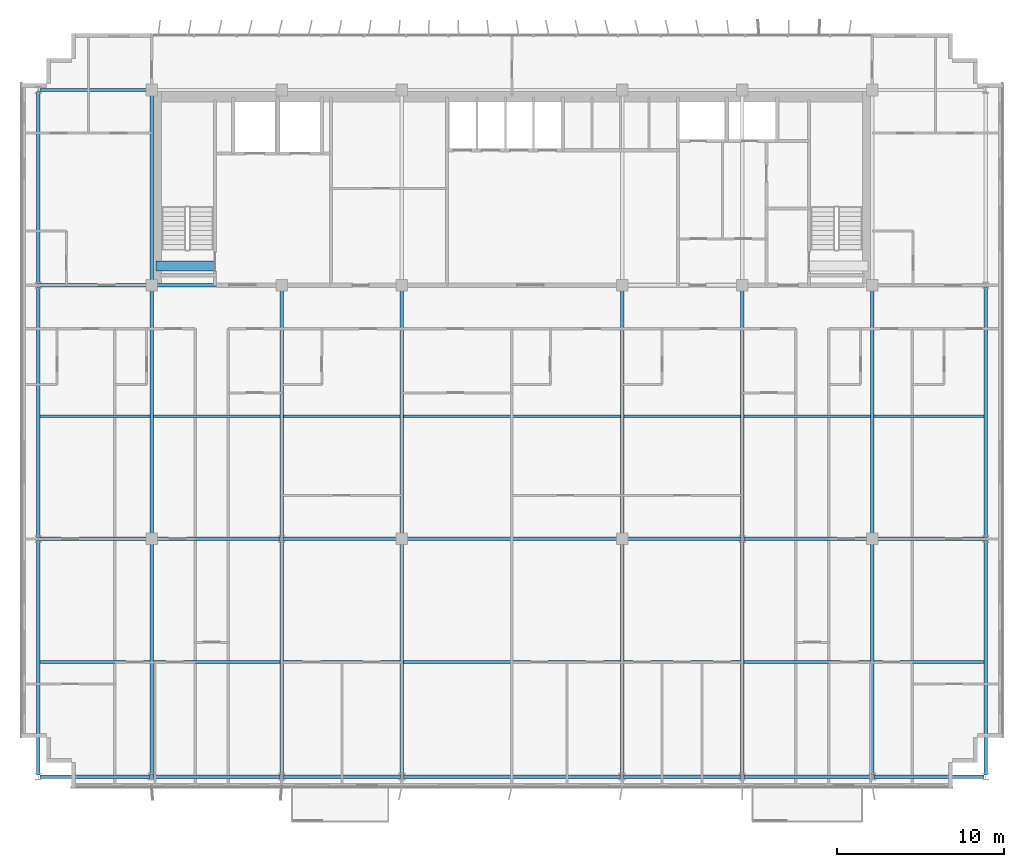
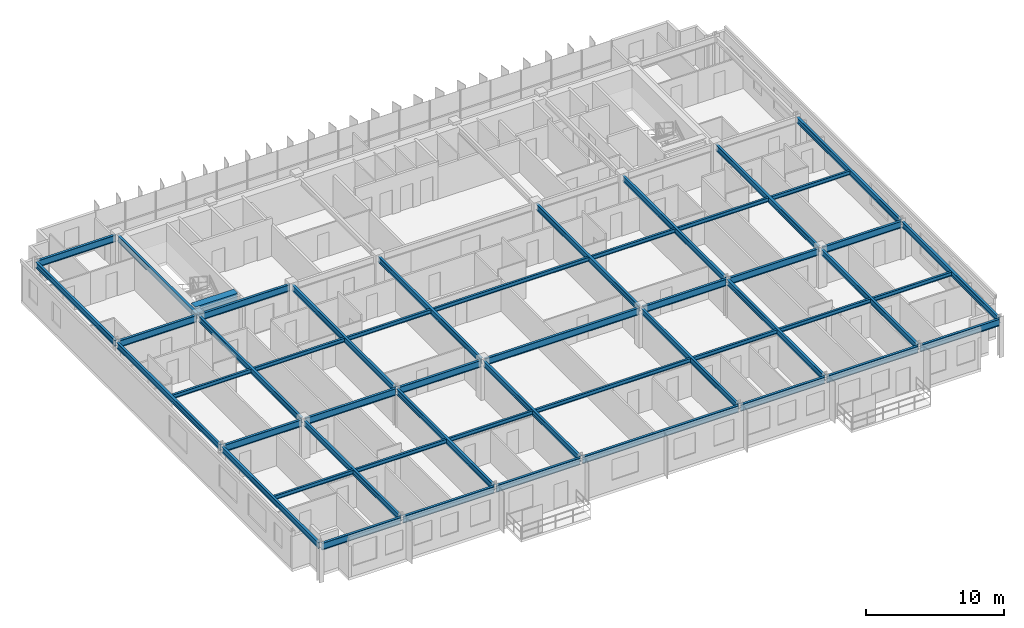
# One storey, part 3 of 22: 50 beams.
"""IFC4 building model written with IfcOpenShell, lengths in metres."""

import ifcopenshell
import ifcopenshell.guid

model = None  # the IFC model being written
_history = None  # IfcOwnerHistory: only IFC2X3 demands one
_inside = {}  # id of a spatial element -> (the spatial element, [elements in it])
_under = {}  # id of a project, library or spatial element -> (it, [spatial elements below it])
_declared = {}  # id of a project -> (the project, [libraries it declares])
_typed = {}  # id of a type object -> (the type object, [elements of that type])
_made_of = {}  # id of a material, layer set ... -> (it, [elements and type objects made of it])


def new_model(schema):
    """Start an empty IFC model of exactly this schema.

    Asked for "IFC4X3", IfcOpenShell would pick the latest addendum, in which some entities
    have other attributes; the version numbers below select the first issue.
    IFC2X3 requires an IfcOwnerHistory on every rooted entity: one is made here for all.
    """
    global model, _history
    if schema == "IFC4X3":
        model = ifcopenshell.file(schema_version=(4, 3, 0, 0))
    else:
        model = ifcopenshell.file(schema=schema)
    _inside.clear()
    _under.clear()
    _declared.clear()
    _typed.clear()
    _made_of.clear()
    _history = None
    if model.schema == "IFC2X3":
        org = make("IfcOrganization", Name="unknown")
        user = make(
            "IfcPersonAndOrganization",
            ThePerson=make("IfcPerson", FamilyName="unknown"),
            TheOrganization=org,
        )
        app = make(
            "IfcApplication",
            ApplicationDeveloper=org,
            Version="unknown",
            ApplicationFullName="unknown",
            ApplicationIdentifier="unknown",
        )
        _history = make(
            "IfcOwnerHistory",
            OwningUser=user,
            OwningApplication=app,
            ChangeAction="ADDED",
            CreationDate=0,
        )
    return model


def make(cls, **values):
    """One entity of the class cls with the attributes given. An attribute that is None is left unset."""
    return model.create_entity(
        cls, **{name: value for name, value in values.items() if value is not None}
    )


def rooted(cls, **values):
    """An entity with a GlobalId (a new one), such as an element, a storey or a relation."""
    return make(cls, GlobalId=ifcopenshell.guid.new(), OwnerHistory=_history, **values)


def si_unit(unit_type, name, prefix=None):
    """IfcSIUnit, for example si_unit("LENGTHUNIT", "METRE", prefix="MILLI")."""
    return make("IfcSIUnit", UnitType=unit_type, Prefix=prefix, Name=name)


def assignment(units):
    """IfcUnitAssignment: the units of a project."""
    return None if units is None else make("IfcUnitAssignment", Units=units)


def point(xyz):
    """IfcCartesianPoint."""
    return None if xyz is None else make("IfcCartesianPoint", Coordinates=xyz)


def direction(xyz):
    """IfcDirection."""
    return None if xyz is None else make("IfcDirection", DirectionRatios=xyz)


def frame(location, z_axis=None, x_axis=None):
    """IfcAxis2Placement3D, a coordinate frame: its origin and axes. An axis left out is left unset."""
    return make(
        "IfcAxis2Placement3D",
        Location=point(location),
        Axis=direction(z_axis),
        RefDirection=direction(x_axis),
    )


def frame_2d(location, x_axis=None):
    """IfcAxis2Placement2D, a coordinate frame in the plane: its origin and x axis."""
    return make(
        "IfcAxis2Placement2D", Location=point(location), RefDirection=direction(x_axis)
    )


def origin():
    """The frame at (0, 0, 0) with its axes left unset."""
    return frame((0.0, 0.0, 0.0))


def origin_2d():
    """The frame at (0, 0) in the plane with its x axis left unset."""
    return frame_2d((0.0, 0.0))


def place(relative_to, where):
    """IfcLocalPlacement: puts the frame where relative to a parent placement (None: the world)."""
    return make(
        "IfcLocalPlacement", PlacementRelTo=relative_to, RelativePlacement=where
    )


def context(
    kind, dimensions, precision=None, world=None, true_north=None, identifier=None
):
    """IfcGeometricRepresentationContext, for example the 3D "Model" context."""
    return make(
        "IfcGeometricRepresentationContext",
        ContextIdentifier=identifier,
        ContextType=kind,
        CoordinateSpaceDimension=dimensions,
        Precision=precision,
        WorldCoordinateSystem=world,
        TrueNorth=true_north,
    )


def subcontext(parent, identifier, kind, view, scale=None):
    """IfcGeometricRepresentationSubContext, for example "Body" below "Model"."""
    return make(
        "IfcGeometricRepresentationSubContext",
        ContextIdentifier=identifier,
        ContextType=kind,
        ParentContext=parent,
        TargetScale=scale,
        TargetView=view,
    )


def project(units=None, contexts=None):
    """IfcProject with its units and contexts."""
    return rooted(
        "IfcProject",
        Name="project",
        RepresentationContexts=contexts,
        UnitsInContext=assignment(units),
    )


def spatial(cls, under=None, at=None, **own):
    """A site, building, storey or space (cls), placed at a placement, below another one or the project."""
    s = rooted(cls, ObjectPlacement=at, **own)
    if under is not None:
        _under.setdefault(under.id(), (under, []))[1].append(s)
    return s


def profile(cls, at=None, kind="AREA", **sizes):
    """A parametric profile (cls). Its sizes go by their IFC names, for example OverallWidth=200.0."""
    return make(cls, ProfileType=kind, Position=at, **sizes)


def rectangle(**sizes):
    """IfcRectangleProfileDef."""
    return profile("IfcRectangleProfileDef", **sizes)


def i_section(**sizes):
    """IfcIShapeProfileDef."""
    return profile("IfcIShapeProfileDef", **sizes)


def extrude(swept, where, along, depth):
    """IfcExtrudedAreaSolid: the profile swept, set in the frame where, extruded along a direction by depth."""
    return make(
        "IfcExtrudedAreaSolid",
        SweptArea=swept,
        Position=where,
        ExtrudedDirection=direction(along),
        Depth=depth,
    )


def shape(context_of_items, identifier, shape_type, items):
    """IfcShapeRepresentation: the items that make up one representation, for example the "Body"."""
    return make(
        "IfcShapeRepresentation",
        ContextOfItems=context_of_items,
        RepresentationIdentifier=identifier,
        RepresentationType=shape_type,
        Items=items,
    )


def source(mapping_origin, context_of_items, identifier, shape_type, items):
    """IfcRepresentationMap: a shape defined once, which mapped items show again and again."""
    return make(
        "IfcRepresentationMap",
        MappingOrigin=mapping_origin,
        MappedRepresentation=shape(context_of_items, identifier, shape_type, items),
    )


def transform(
    local_origin,
    x_axis=None,
    y_axis=None,
    z_axis=None,
    scale=None,
    scale2=None,
    scale3=None,
    uniform=True,
):
    """IfcCartesianTransformationOperator3D, or its non-uniform kind. x_axis, y_axis, z_axis: its Axis1, 2, 3."""
    if uniform:
        return make(
            "IfcCartesianTransformationOperator3D",
            Axis1=direction(x_axis),
            Axis2=direction(y_axis),
            LocalOrigin=point(local_origin),
            Scale=scale,
            Axis3=direction(z_axis),
        )
    return make(
        "IfcCartesianTransformationOperator3DnonUniform",
        Axis1=direction(x_axis),
        Axis2=direction(y_axis),
        LocalOrigin=point(local_origin),
        Scale=scale,
        Axis3=direction(z_axis),
        Scale2=scale2,
        Scale3=scale3,
    )


def mapped(mapping_source, mapping_target):
    """IfcMappedItem: shows the shape of a source again, moved by a transform."""
    return make(
        "IfcMappedItem", MappingSource=mapping_source, MappingTarget=mapping_target
    )


def material(Name=None, Category=None):
    """IfcMaterial."""
    return make("IfcMaterial", Name=Name, Category=Category)


def material_profile(
    of_material, cross_section, Name=None, Category=None, Priority=None
):
    """IfcMaterialProfile: a cross section and its material."""
    return make(
        "IfcMaterialProfile",
        Name=Name,
        Material=of_material,
        Profile=cross_section,
        Priority=Priority,
        Category=Category,
    )


def profile_set(profiles, Name=None, composite=None):
    """IfcMaterialProfileSet."""
    return make(
        "IfcMaterialProfileSet",
        Name=Name,
        MaterialProfiles=profiles,
        CompositeProfile=composite,
    )


def made_of(thing, what):
    """Note that an element or type object is made of a material, layer set ...; save() writes the relation."""
    if what is not None:
        _made_of.setdefault(what.id(), (what, []))[1].append(thing)
    return thing


def type_object(cls, material=None, **own):
    """A type object (cls), such as IfcWallType, which elements share."""
    return made_of(rooted(cls, **own), material)


def element(
    cls,
    number,
    at=None,
    inside=None,
    cuts=None,
    type_object=None,
    material=None,
    context=None,
    identifier="Body",
    shape_type=None,
    held_by="IfcProductDefinitionShape",
    body=None,
    shapes=None,
    **own,
):
    """One element of the class cls, such as IfcWall. Its Tag is "e" and its number.

    at: its placement. inside: the storey or other place that contains it. cuts: it is an
    opening in that element (IfcRelVoidsElement). A single representation is given by context,
    identifier, shape_type and body (its items); several are given by shapes. held_by: the class
    of the entity that holds the representations. save() writes the other relations.
    """
    e = rooted(cls, Tag="e%d" % number, ObjectPlacement=at, **own)
    if body is not None:
        shapes = [shape(context, identifier, shape_type, body)]
    if shapes is not None:
        e.Representation = make(held_by, Representations=shapes)
    if inside is not None:
        _inside.setdefault(inside.id(), (inside, []))[1].append(e)
    if cuts is not None:
        rooted(
            "IfcRelVoidsElement", RelatingBuildingElement=cuts, RelatedOpeningElement=e
        )
    if type_object is not None:
        _typed.setdefault(type_object.id(), (type_object, []))[1].append(e)
    return made_of(e, material)


def aggregate(whole, parts):
    """IfcRelAggregates: a whole, such as a stair, and the parts it consists of."""
    return rooted("IfcRelAggregates", RelatingObject=whole, RelatedObjects=parts)


def save(model, path):
    """Write the relations noted so far, then the file.

    IfcRelAggregates (storeys below a building ...), IfcRelContainedInSpatialStructure (elements
    in a storey), IfcRelDefinesByType, IfcRelAssociatesMaterial and IfcRelDeclares: one each for
    every whole, place, type object, material and project.
    """
    for whole, parts in _under.values():
        aggregate(whole, parts)
    for where, things in _inside.values():
        rooted(
            "IfcRelContainedInSpatialStructure",
            RelatedElements=things,
            RelatingStructure=where,
        )
    for kind, things in _typed.values():
        rooted("IfcRelDefinesByType", RelatedObjects=things, RelatingType=kind)
    for what, things in _made_of.values():
        rooted("IfcRelAssociatesMaterial", RelatedObjects=things, RelatingMaterial=what)
    for by, libraries in _declared.values():
        rooted("IfcRelDeclares", RelatingContext=by, RelatedDefinitions=libraries)
    model.write(path)


model = new_model("IFC4")

# Units and contexts
model_context = context("Model", 3, precision=1e-05, world=origin(), true_north=direction((0.0, 1.0)))
body_context = subcontext(model_context, "Body", "Model", "MODEL_VIEW")
ifc_project = project(units=[si_unit("LENGTHUNIT", "METRE"), si_unit("AREAUNIT", "SQUARE_METRE"), si_unit("VOLUMEUNIT", "CUBIC_METRE"), si_unit("PLANEANGLEUNIT", "RADIAN"), si_unit("MASSUNIT", "GRAM", prefix="KILO")], contexts=[model_context])

# Site, building, storey
site_placement = place(None, origin())
site = spatial("IfcSite", under=ifc_project, at=site_placement, CompositionType="ELEMENT")
building_placement = place(site_placement, origin())
building = spatial("IfcBuilding", under=site, at=building_placement, Name="Trelvane Seafront Commons", CompositionType="ELEMENT")
storey_placement = place(building_placement, frame((0.0, 0.0, 139.300048828125)))
storey = spatial("IfcBuildingStorey", under=building, at=storey_placement, Name="L36", CompositionType="ELEMENT", Elevation=139.300048828125)

# Beams
ifc_material_1 = material(Name="Concrete C60/75", Category="concrete")
ifc_material_profile_1 = material_profile(ifc_material_1, rectangle(XDim=0.60009765625, YDim=0.89990234375, at=origin_2d()), Name="RC-600x900")
ifc_profile_set_1 = profile_set([ifc_material_profile_1], Name="Concrete C60/75")
beam_type_1 = type_object("IfcBeamType", Name="STR-LNT-RC600x900", PredefinedType="LINTEL", material=ifc_profile_set_1)
shared_shape_1 = source(origin(), body_context, "Body", "SweptSolid", [
    extrude(rectangle(XDim=0.60009765625, YDim=0.89990234375, at=origin_2d()), origin(), (0.0, 0.0, 1.0), 3.5498046875),
])
beam_1_placement = place(storey_placement, frame((15.85009765625, 34.550048828125, 2.89990234375), z_axis=(1.0, 0.0, 0.0), x_axis=(0.0, 1.0, 0.0)))
element("IfcBeam", 1, at=beam_1_placement, inside=storey, type_object=beam_type_1, Name="L36 Core Coupling Lintel Beam CB-67", PredefinedType="LINTEL", context=body_context, shape_type="MappedRepresentation", body=[
    mapped(shared_shape_1, transform((0.0, 0.0, 0.0), x_axis=(1.0, 0.0, 0.0), y_axis=(0.0, 1.0, 0.0), z_axis=(0.0, 0.0, 1.0), scale=1.0)),
])
ifc_material_2 = material(Name="Steel SM355 (S355)", Category="steel")
ifc_material_profile_2 = material_profile(ifc_material_2, i_section(OverallWidth=0.199951171875, OverallDepth=0.5, WebThickness=0.010009765625, FlangeThickness=0.01611328125, at=origin_2d()), Name="H-500x200x10x16")
ifc_profile_set_2 = profile_set([ifc_material_profile_2], Name="Steel SM355 (S355)")
beam_type_2 = type_object("IfcBeamType", Name="STR-BM-H500", PredefinedType="BEAM", material=ifc_profile_set_2)
shared_shape_2 = source(origin(), body_context, "Body", "SweptSolid", [
    extrude(i_section(OverallWidth=0.199951171875, OverallDepth=0.5, WebThickness=0.010009765625, FlangeThickness=0.01611328125, at=origin_2d()), origin(), (0.0, 0.0, 1.0), 14.89990234375),
])
for number, where, z_axis, x_axis, name in (
    (2, (15.60009765625, 18.35009765625, 3.099853515625), (0.0, 1.0, 0.0), (-1.0, 0.0, 0.0), "L36 Primary Girder G-33"),
    (3, (30.60009765625, 18.35009765625, 3.099853515625), (0.0, 1.0, 0.0), (-1.0, 0.0, 0.0), "L36 Primary Girder G-39"),
    (4, (43.800048828125, 18.35009765625, 3.099853515625), (0.0, 1.0, 0.0), (-1.0, 0.0, 0.0), "L36 Primary Girder G-42"),
    (5, (58.800048828125, 18.35009765625, 3.099853515625), (0.0, 1.0, 0.0), (-1.0, 0.0, 0.0), "L36 Primary Girder G-48"),
):
    element("IfcBeam", number, at=place(storey_placement, frame(where, z_axis=z_axis, x_axis=x_axis)), inside=storey, type_object=beam_type_2, Name=name, PredefinedType="BEAM", context=body_context, shape_type="MappedRepresentation", body=[
        mapped(shared_shape_2, transform((0.0, 0.0, 0.0), x_axis=(1.0, 0.0, 0.0), y_axis=(0.0, 1.0, 0.0), z_axis=(0.0, 0.0, 1.0), scale=1.0)),
    ])
shared_shape_3 = source(origin(), body_context, "Body", "SweptSolid", [
    extrude(i_section(OverallWidth=0.199951171875, OverallDepth=0.5, WebThickness=0.010009765625, FlangeThickness=0.01611328125, at=origin_2d()), origin(), (0.0, 0.0, 1.0), 11.39990234375),
])
beam_2_placement = place(storey_placement, frame((15.60009765625, 33.550048828125, 3.099853515625), z_axis=(0.0, 1.0, 0.0), x_axis=(-1.0, 0.0, 0.0)))
element("IfcBeam", 6, at=beam_2_placement, inside=storey, type_object=beam_type_2, Name="L36 Primary Girder G-34", PredefinedType="BEAM", context=body_context, shape_type="MappedRepresentation", body=[
    mapped(shared_shape_3, transform((0.0, 0.0, 0.0), x_axis=(1.0, 0.0, 0.0), y_axis=(0.0, 1.0, 0.0), z_axis=(0.0, 0.0, 1.0), scale=1.0)),
])
ifc_material_profile_3 = material_profile(ifc_material_2, i_section(OverallWidth=0.175048828125, OverallDepth=0.35009765625, WebThickness=0.007080078125, FlangeThickness=0.010986328125, at=origin_2d()), Name="H-350x175x7x11")
ifc_profile_set_3 = profile_set([ifc_material_profile_3], Name="Steel SM355 (S355)")
beam_type_3 = type_object("IfcBeamType", Name="STR-JST-H350", PredefinedType="JOIST", material=ifc_profile_set_3)
shared_shape_4 = source(origin(), body_context, "Body", "SweptSolid", [
    extrude(i_section(OverallWidth=0.175048828125, OverallDepth=0.35009765625, WebThickness=0.007080078125, FlangeThickness=0.010986328125, at=origin_2d()), origin(), (0.0, 0.0, 1.0), 6.60009765625),
])
for number, where, z_axis, x_axis, name in (
    (7, (8.89990234375, 10.824951171875, 3.175048828125), (1.0, 0.0, 0.0), (0.0, 1.0, 0.0), "L36 Secondary Floor Joist B-53"),
    (8, (58.89990234375, 10.824951171875, 3.175048828125), (1.0, 0.0, 0.0), (0.0, 1.0, 0.0), "L36 Secondary Floor Joist B-59"),
    (9, (8.89990234375, 25.550048828125, 3.175048828125), (1.0, 0.0, 0.0), (0.0, 1.0, 0.0), "L36 Secondary Floor Joist B-60"),
    (10, (58.89990234375, 25.550048828125, 3.175048828125), (1.0, 0.0, 0.0), (0.0, 1.0, 0.0), "L36 Secondary Floor Joist B-66"),
):
    element("IfcBeam", number, at=place(storey_placement, frame(where, z_axis=z_axis, x_axis=x_axis)), inside=storey, type_object=beam_type_3, Name=name, PredefinedType="JOIST", context=body_context, shape_type="MappedRepresentation", body=[
        mapped(shared_shape_4, transform((0.0, 0.0, 0.0), x_axis=(1.0, 0.0, 0.0), y_axis=(0.0, 1.0, 0.0), z_axis=(0.0, 0.0, 1.0), scale=1.0)),
    ])
shared_shape_5 = source(origin(), body_context, "Body", "SweptSolid", [
    extrude(i_section(OverallWidth=0.175048828125, OverallDepth=0.35009765625, WebThickness=0.007080078125, FlangeThickness=0.010986328125, at=origin_2d()), origin(), (0.0, 0.0, 1.0), 7.60009765625),
])
for number, where, z_axis, x_axis, name in (
    (11, (15.699951171875, 10.824951171875, 3.175048828125), (1.0, 0.0, 0.0), (0.0, 1.0, 0.0), "L36 Secondary Floor Joist B-54"),
    (12, (15.699951171875, 25.550048828125, 3.175048828125), (1.0, 0.0, 0.0), (0.0, 1.0, 0.0), "L36 Secondary Floor Joist B-61"),
):
    element("IfcBeam", number, at=place(storey_placement, frame(where, z_axis=z_axis, x_axis=x_axis)), inside=storey, type_object=beam_type_3, Name=name, PredefinedType="JOIST", context=body_context, shape_type="MappedRepresentation", body=[
        mapped(shared_shape_5, transform((0.0, 0.0, 0.0), x_axis=(1.0, 0.0, 0.0), y_axis=(0.0, 1.0, 0.0), z_axis=(0.0, 0.0, 1.0), scale=1.0)),
    ])
shared_shape_6 = source(origin(), body_context, "Body", "SweptSolid", [
    extrude(i_section(OverallWidth=0.175048828125, OverallDepth=0.35009765625, WebThickness=0.007080078125, FlangeThickness=0.010986328125, at=origin_2d()), origin(), (0.0, 0.0, 1.0), 7.0),
])
for number, where, z_axis, x_axis, name in (
    (13, (23.5, 10.824951171875, 3.175048828125), (1.0, 0.0, 0.0), (0.0, 1.0, 0.0), "L36 Secondary Floor Joist B-55"),
    (14, (43.89990234375, 10.824951171875, 3.175048828125), (1.0, 0.0, 0.0), (0.0, 1.0, 0.0), "L36 Secondary Floor Joist B-57"),
    (15, (23.5, 25.550048828125, 3.175048828125), (1.0, 0.0, 0.0), (0.0, 1.0, 0.0), "L36 Secondary Floor Joist B-62"),
    (16, (43.89990234375, 25.550048828125, 3.175048828125), (1.0, 0.0, 0.0), (0.0, 1.0, 0.0), "L36 Secondary Floor Joist B-64"),
):
    element("IfcBeam", number, at=place(storey_placement, frame(where, z_axis=z_axis, x_axis=x_axis)), inside=storey, type_object=beam_type_3, Name=name, PredefinedType="JOIST", context=body_context, shape_type="MappedRepresentation", body=[
        mapped(shared_shape_6, transform((0.0, 0.0, 0.0), x_axis=(1.0, 0.0, 0.0), y_axis=(0.0, 1.0, 0.0), z_axis=(0.0, 0.0, 1.0), scale=1.0)),
    ])
shared_shape_7 = source(origin(), body_context, "Body", "SweptSolid", [
    extrude(i_section(OverallWidth=0.175048828125, OverallDepth=0.35009765625, WebThickness=0.007080078125, FlangeThickness=0.010986328125, at=origin_2d()), origin(), (0.0, 0.0, 1.0), 13.0),
])
for number, where, z_axis, x_axis, name in (
    (17, (30.699951171875, 10.824951171875, 3.175048828125), (1.0, 0.0, 0.0), (0.0, 1.0, 0.0), "L36 Secondary Floor Joist B-56"),
    (18, (30.699951171875, 25.550048828125, 3.175048828125), (1.0, 0.0, 0.0), (0.0, 1.0, 0.0), "L36 Secondary Floor Joist B-63"),
):
    element("IfcBeam", number, at=place(storey_placement, frame(where, z_axis=z_axis, x_axis=x_axis)), inside=storey, type_object=beam_type_3, Name=name, PredefinedType="JOIST", context=body_context, shape_type="MappedRepresentation", body=[
        mapped(shared_shape_7, transform((0.0, 0.0, 0.0), x_axis=(1.0, 0.0, 0.0), y_axis=(0.0, 1.0, 0.0), z_axis=(0.0, 0.0, 1.0), scale=1.0)),
    ])
shared_shape_8 = source(origin(), body_context, "Body", "SweptSolid", [
    extrude(i_section(OverallWidth=0.175048828125, OverallDepth=0.35009765625, WebThickness=0.007080078125, FlangeThickness=0.010986328125, at=origin_2d()), origin(), (0.0, 0.0, 1.0), 7.599853515625),
])
for number, where, z_axis, x_axis, name in (
    (19, (51.10009765625, 10.824951171875, 3.175048828125), (1.0, 0.0, 0.0), (0.0, 1.0, 0.0), "L36 Secondary Floor Joist B-58"),
    (20, (51.10009765625, 25.550048828125, 3.175048828125), (1.0, 0.0, 0.0), (0.0, 1.0, 0.0), "L36 Secondary Floor Joist B-65"),
):
    element("IfcBeam", number, at=place(storey_placement, frame(where, z_axis=z_axis, x_axis=x_axis)), inside=storey, type_object=beam_type_3, Name=name, PredefinedType="JOIST", context=body_context, shape_type="MappedRepresentation", body=[
        mapped(shared_shape_8, transform((0.0, 0.0, 0.0), x_axis=(1.0, 0.0, 0.0), y_axis=(0.0, 1.0, 0.0), z_axis=(0.0, 0.0, 1.0), scale=1.0)),
    ])
ifc_material_profile_4 = material_profile(ifc_material_2, i_section(OverallWidth=0.199951171875, OverallDepth=0.60009765625, WebThickness=0.010986328125, FlangeThickness=0.01708984375, at=origin_2d()), Name="H-600x200x11x17")
ifc_profile_set_4 = profile_set([ifc_material_profile_4], Name="Steel SM355 (S355)")
beam_type_4 = type_object("IfcBeamType", Name="STR-SPD-H600", PredefinedType="SPANDREL", material=ifc_profile_set_4)
shared_shape_9 = source(origin(), body_context, "Body", "SweptSolid", [
    extrude(i_section(OverallWidth=0.199951171875, OverallDepth=0.60009765625, WebThickness=0.010986328125, FlangeThickness=0.01708984375, at=origin_2d()), origin(), (0.0, 0.0, 1.0), 6.60986328125),
])
for number, where, z_axis, x_axis, name in (
    (21, (8.89501953125, 3.949951171875, 3.050048828125), (1.0, 0.0, 0.0), (0.0, 1.0, 0.0), "L36 Primary Girder G-01"),
    (22, (58.89501953125, 3.949951171875, 3.050048828125), (1.0, 0.0, 0.0), (0.0, 1.0, 0.0), "L36 Primary Girder G-07"),
):
    element("IfcBeam", number, at=place(storey_placement, frame(where, z_axis=z_axis, x_axis=x_axis)), inside=storey, type_object=beam_type_4, Name=name, PredefinedType="SPANDREL", context=body_context, shape_type="MappedRepresentation", body=[
        mapped(shared_shape_9, transform((0.0, 0.0, 0.0), x_axis=(1.0, 0.0, 0.0), y_axis=(0.0, 1.0, 0.0), z_axis=(0.0, 0.0, 1.0), scale=1.0)),
    ])
shared_shape_10 = source(origin(), body_context, "Body", "SweptSolid", [
    extrude(i_section(OverallWidth=0.199951171875, OverallDepth=0.60009765625, WebThickness=0.010986328125, FlangeThickness=0.01708984375, at=origin_2d()), origin(), (0.0, 0.0, 1.0), 7.60986328125),
])
beam_3_placement = place(storey_placement, frame((15.695068359375, 3.949951171875, 3.050048828125), z_axis=(1.0, 0.0, 0.0), x_axis=(0.0, 1.0, 0.0)))
element("IfcBeam", 23, at=beam_3_placement, inside=storey, type_object=beam_type_4, Name="L36 Primary Girder G-02", PredefinedType="SPANDREL", context=body_context, shape_type="MappedRepresentation", body=[
    mapped(shared_shape_10, transform((0.0, 0.0, 0.0), x_axis=(1.0, 0.0, 0.0), y_axis=(0.0, 1.0, 0.0), z_axis=(0.0, 0.0, 1.0), scale=1.0)),
])
shared_shape_11 = source(origin(), body_context, "Body", "SweptSolid", [
    extrude(i_section(OverallWidth=0.199951171875, OverallDepth=0.60009765625, WebThickness=0.010986328125, FlangeThickness=0.01708984375, at=origin_2d()), origin(), (0.0, 0.0, 1.0), 7.009765625),
])
beam_4_placement = place(storey_placement, frame((23.4951171875, 3.949951171875, 3.050048828125), z_axis=(1.0, 0.0, 0.0), x_axis=(0.0, 1.0, 0.0)))
element("IfcBeam", 24, at=beam_4_placement, inside=storey, type_object=beam_type_4, Name="L36 Primary Girder G-03", PredefinedType="SPANDREL", context=body_context, shape_type="MappedRepresentation", body=[
    mapped(shared_shape_11, transform((0.0, 0.0, 0.0), x_axis=(1.0, 0.0, 0.0), y_axis=(0.0, 1.0, 0.0), z_axis=(0.0, 0.0, 1.0), scale=1.0)),
])
shared_shape_12 = source(origin(), body_context, "Body", "SweptSolid", [
    extrude(i_section(OverallWidth=0.199951171875, OverallDepth=0.60009765625, WebThickness=0.010986328125, FlangeThickness=0.01708984375, at=origin_2d()), origin(), (0.0, 0.0, 1.0), 13.010009765625),
])
beam_5_placement = place(storey_placement, frame((30.695068359375, 3.949951171875, 3.050048828125), z_axis=(1.0, 0.0, 0.0), x_axis=(0.0, 1.0, 0.0)))
element("IfcBeam", 25, at=beam_5_placement, inside=storey, type_object=beam_type_4, Name="L36 Primary Girder G-04", PredefinedType="SPANDREL", context=body_context, shape_type="MappedRepresentation", body=[
    mapped(shared_shape_12, transform((0.0, 0.0, 0.0), x_axis=(1.0, 0.0, 0.0), y_axis=(0.0, 1.0, 0.0), z_axis=(0.0, 0.0, 1.0), scale=1.0)),
])
shared_shape_13 = source(origin(), body_context, "Body", "SweptSolid", [
    extrude(i_section(OverallWidth=0.199951171875, OverallDepth=0.60009765625, WebThickness=0.010986328125, FlangeThickness=0.01708984375, at=origin_2d()), origin(), (0.0, 0.0, 1.0), 7.010009765625),
])
beam_6_placement = place(storey_placement, frame((43.89501953125, 3.949951171875, 3.050048828125), z_axis=(1.0, 0.0, 0.0), x_axis=(0.0, 1.0, 0.0)))
element("IfcBeam", 26, at=beam_6_placement, inside=storey, type_object=beam_type_4, Name="L36 Primary Girder G-05", PredefinedType="SPANDREL", context=body_context, shape_type="MappedRepresentation", body=[
    mapped(shared_shape_13, transform((0.0, 0.0, 0.0), x_axis=(1.0, 0.0, 0.0), y_axis=(0.0, 1.0, 0.0), z_axis=(0.0, 0.0, 1.0), scale=1.0)),
])
shared_shape_14 = source(origin(), body_context, "Body", "SweptSolid", [
    extrude(i_section(OverallWidth=0.199951171875, OverallDepth=0.60009765625, WebThickness=0.010986328125, FlangeThickness=0.01708984375, at=origin_2d()), origin(), (0.0, 0.0, 1.0), 7.610107421875),
])
beam_7_placement = place(storey_placement, frame((51.094970703125, 3.949951171875, 3.050048828125), z_axis=(1.0, 0.0, 0.0), x_axis=(0.0, 1.0, 0.0)))
element("IfcBeam", 27, at=beam_7_placement, inside=storey, type_object=beam_type_4, Name="L36 Primary Girder G-06", PredefinedType="SPANDREL", context=body_context, shape_type="MappedRepresentation", body=[
    mapped(shared_shape_14, transform((0.0, 0.0, 0.0), x_axis=(1.0, 0.0, 0.0), y_axis=(0.0, 1.0, 0.0), z_axis=(0.0, 0.0, 1.0), scale=1.0)),
])
shared_shape_15 = source(origin(), body_context, "Body", "SweptSolid", [
    extrude(i_section(OverallWidth=0.199951171875, OverallDepth=0.60009765625, WebThickness=0.010986328125, FlangeThickness=0.01708984375, at=origin_2d()), origin(), (0.0, 0.0, 1.0), 6.554931640625),
])
for number, where, z_axis, x_axis, name in (
    (28, (8.89501953125, 18.199951171875, 3.050048828125), (1.0, 0.0, 0.0), (0.0, 1.0, 0.0), "L36 Primary Girder G-08"),
    (29, (58.949951171875, 18.199951171875, 3.050048828125), (1.0, 0.0, 0.0), (0.0, 1.0, 0.0), "L36 Primary Girder G-14"),
    (30, (8.89501953125, 33.39990234375, 3.050048828125), (1.0, 0.0, 0.0), (0.0, 1.0, 0.0), "L36 Primary Girder G-15"),
    (31, (8.89501953125, 45.10009765625, 3.050048828125), (1.0, 0.0, 0.0), (0.0, 1.0, 0.0), "L36 Primary Girder G-22"),
):
    element("IfcBeam", number, at=place(storey_placement, frame(where, z_axis=z_axis, x_axis=x_axis)), inside=storey, type_object=beam_type_4, Name=name, PredefinedType="SPANDREL", context=body_context, shape_type="MappedRepresentation", body=[
        mapped(shared_shape_15, transform((0.0, 0.0, 0.0), x_axis=(1.0, 0.0, 0.0), y_axis=(0.0, 1.0, 0.0), z_axis=(0.0, 0.0, 1.0), scale=1.0)),
    ])
shared_shape_16 = source(origin(), body_context, "Body", "SweptSolid", [
    extrude(i_section(OverallWidth=0.199951171875, OverallDepth=0.60009765625, WebThickness=0.010986328125, FlangeThickness=0.01708984375, at=origin_2d()), origin(), (0.0, 0.0, 1.0), 7.554931640625),
])
for number, where, z_axis, x_axis, name in (
    (32, (15.75, 18.199951171875, 3.050048828125), (1.0, 0.0, 0.0), (0.0, 1.0, 0.0), "L36 Primary Girder G-09"),
    (33, (51.094970703125, 18.199951171875, 3.050048828125), (1.0, 0.0, 0.0), (0.0, 1.0, 0.0), "L36 Primary Girder G-13"),
):
    element("IfcBeam", number, at=place(storey_placement, frame(where, z_axis=z_axis, x_axis=x_axis)), inside=storey, type_object=beam_type_4, Name=name, PredefinedType="SPANDREL", context=body_context, shape_type="MappedRepresentation", body=[
        mapped(shared_shape_16, transform((0.0, 0.0, 0.0), x_axis=(1.0, 0.0, 0.0), y_axis=(0.0, 1.0, 0.0), z_axis=(0.0, 0.0, 1.0), scale=1.0)),
    ])
shared_shape_17 = source(origin(), body_context, "Body", "SweptSolid", [
    extrude(i_section(OverallWidth=0.199951171875, OverallDepth=0.60009765625, WebThickness=0.010986328125, FlangeThickness=0.01708984375, at=origin_2d()), origin(), (0.0, 0.0, 1.0), 6.954833984375),
])
beam_8_placement = place(storey_placement, frame((23.4951171875, 18.199951171875, 3.050048828125), z_axis=(1.0, 0.0, 0.0), x_axis=(0.0, 1.0, 0.0)))
element("IfcBeam", 34, at=beam_8_placement, inside=storey, type_object=beam_type_4, Name="L36 Primary Girder G-10", PredefinedType="SPANDREL", context=body_context, shape_type="MappedRepresentation", body=[
    mapped(shared_shape_17, transform((0.0, 0.0, 0.0), x_axis=(1.0, 0.0, 0.0), y_axis=(0.0, 1.0, 0.0), z_axis=(0.0, 0.0, 1.0), scale=1.0)),
])
shared_shape_18 = source(origin(), body_context, "Body", "SweptSolid", [
    extrude(i_section(OverallWidth=0.199951171875, OverallDepth=0.60009765625, WebThickness=0.010986328125, FlangeThickness=0.01708984375, at=origin_2d()), origin(), (0.0, 0.0, 1.0), 12.89990234375),
])
beam_9_placement = place(storey_placement, frame((30.75, 18.199951171875, 3.050048828125), z_axis=(1.0, 0.0, 0.0), x_axis=(0.0, 1.0, 0.0)))
element("IfcBeam", 35, at=beam_9_placement, inside=storey, type_object=beam_type_4, Name="L36 Primary Girder G-11", PredefinedType="SPANDREL", context=body_context, shape_type="MappedRepresentation", body=[
    mapped(shared_shape_18, transform((0.0, 0.0, 0.0), x_axis=(1.0, 0.0, 0.0), y_axis=(0.0, 1.0, 0.0), z_axis=(0.0, 0.0, 1.0), scale=1.0)),
])
shared_shape_19 = source(origin(), body_context, "Body", "SweptSolid", [
    extrude(i_section(OverallWidth=0.199951171875, OverallDepth=0.60009765625, WebThickness=0.010986328125, FlangeThickness=0.01708984375, at=origin_2d()), origin(), (0.0, 0.0, 1.0), 6.955078125),
])
beam_10_placement = place(storey_placement, frame((43.949951171875, 18.199951171875, 3.050048828125), z_axis=(1.0, 0.0, 0.0), x_axis=(0.0, 1.0, 0.0)))
element("IfcBeam", 36, at=beam_10_placement, inside=storey, type_object=beam_type_4, Name="L36 Primary Girder G-12", PredefinedType="SPANDREL", context=body_context, shape_type="MappedRepresentation", body=[
    mapped(shared_shape_19, transform((0.0, 0.0, 0.0), x_axis=(1.0, 0.0, 0.0), y_axis=(0.0, 1.0, 0.0), z_axis=(0.0, 0.0, 1.0), scale=1.0)),
])
shared_shape_20 = source(origin(), body_context, "Body", "SweptSolid", [
    extrude(i_section(OverallWidth=0.199951171875, OverallDepth=0.60009765625, WebThickness=0.010986328125, FlangeThickness=0.01708984375, at=origin_2d()), origin(), (0.0, 0.0, 1.0), 7.5),
])
beam_11_placement = place(storey_placement, frame((15.75, 33.39990234375, 3.050048828125), z_axis=(1.0, 0.0, 0.0), x_axis=(0.0, 1.0, 0.0)))
element("IfcBeam", 37, at=beam_11_placement, inside=storey, type_object=beam_type_4, Name="L36 Primary Girder G-16", PredefinedType="SPANDREL", context=body_context, shape_type="MappedRepresentation", body=[
    mapped(shared_shape_20, transform((0.0, 0.0, 0.0), x_axis=(1.0, 0.0, 0.0), y_axis=(0.0, 1.0, 0.0), z_axis=(0.0, 0.0, 1.0), scale=1.0)),
])
shared_shape_21 = source(origin(), body_context, "Body", "SweptSolid", [
    extrude(i_section(OverallWidth=0.199951171875, OverallDepth=0.5, WebThickness=0.010009765625, FlangeThickness=0.01611328125, at=origin_2d()), origin(), (0.0, 0.0, 1.0), 14.06005859375),
])
for number, where, z_axis, x_axis, name in (
    (38, (8.800048828125, 4.044921875, 3.099853515625), (0.0, 1.0, 0.0), (-1.0, 0.0, 0.0), "L36 Primary Girder G-29"),
    (39, (23.39990234375, 4.044921875, 3.099853515625), (0.0, 1.0, 0.0), (-1.0, 0.0, 0.0), "L36 Primary Girder G-35"),
    (40, (51.0, 4.044921875, 3.099853515625), (0.0, 1.0, 0.0), (-1.0, 0.0, 0.0), "L36 Primary Girder G-44"),
    (41, (65.60009765625, 4.044921875, 3.099853515625), (0.0, 1.0, 0.0), (-1.0, 0.0, 0.0), "L36 Primary Girder G-50"),
):
    element("IfcBeam", number, at=place(storey_placement, frame(where, z_axis=z_axis, x_axis=x_axis)), inside=storey, type_object=beam_type_2, Name=name, PredefinedType="BEAM", context=body_context, shape_type="MappedRepresentation", body=[
        mapped(shared_shape_21, transform((0.0, 0.0, 0.0), x_axis=(1.0, 0.0, 0.0), y_axis=(0.0, 1.0, 0.0), z_axis=(0.0, 0.0, 1.0), scale=1.0)),
    ])
shared_shape_22 = source(origin(), body_context, "Body", "SweptSolid", [
    extrude(i_section(OverallWidth=0.199951171875, OverallDepth=0.5, WebThickness=0.010009765625, FlangeThickness=0.01611328125, at=origin_2d()), origin(), (0.0, 0.0, 1.0), 15.010009765625),
])
for number, where, z_axis, x_axis, name in (
    (42, (8.800048828125, 18.294921875, 3.099853515625), (0.0, 1.0, 0.0), (-1.0, 0.0, 0.0), "L36 Primary Girder G-30"),
    (43, (65.60009765625, 18.294921875, 3.099853515625), (0.0, 1.0, 0.0), (-1.0, 0.0, 0.0), "L36 Primary Girder G-51"),
):
    element("IfcBeam", number, at=place(storey_placement, frame(where, z_axis=z_axis, x_axis=x_axis)), inside=storey, type_object=beam_type_2, Name=name, PredefinedType="BEAM", context=body_context, shape_type="MappedRepresentation", body=[
        mapped(shared_shape_22, transform((0.0, 0.0, 0.0), x_axis=(1.0, 0.0, 0.0), y_axis=(0.0, 1.0, 0.0), z_axis=(0.0, 0.0, 1.0), scale=1.0)),
    ])
shared_shape_23 = source(origin(), body_context, "Body", "SweptSolid", [
    extrude(i_section(OverallWidth=0.199951171875, OverallDepth=0.5, WebThickness=0.010009765625, FlangeThickness=0.01611328125, at=origin_2d()), origin(), (0.0, 0.0, 1.0), 11.509765625),
])
beam_12_placement = place(storey_placement, frame((8.800048828125, 33.4951171875, 3.099853515625), z_axis=(0.0, 1.0, 0.0), x_axis=(-1.0, 0.0, 0.0)))
element("IfcBeam", 44, at=beam_12_placement, inside=storey, type_object=beam_type_2, Name="L36 Primary Girder G-31", PredefinedType="BEAM", context=body_context, shape_type="MappedRepresentation", body=[
    mapped(shared_shape_23, transform((0.0, 0.0, 0.0), x_axis=(1.0, 0.0, 0.0), y_axis=(0.0, 1.0, 0.0), z_axis=(0.0, 0.0, 1.0), scale=1.0)),
])
shared_shape_24 = source(origin(), body_context, "Body", "SweptSolid", [
    extrude(i_section(OverallWidth=0.199951171875, OverallDepth=0.5, WebThickness=0.010009765625, FlangeThickness=0.01611328125, at=origin_2d()), origin(), (0.0, 0.0, 1.0), 14.005126953125),
])
for number, where, z_axis, x_axis, name in (
    (45, (15.60009765625, 4.044921875, 3.099853515625), (0.0, 1.0, 0.0), (-1.0, 0.0, 0.0), "L36 Primary Girder G-32"),
    (46, (30.60009765625, 4.044921875, 3.099853515625), (0.0, 1.0, 0.0), (-1.0, 0.0, 0.0), "L36 Primary Girder G-38"),
    (47, (43.800048828125, 4.044921875, 3.099853515625), (0.0, 1.0, 0.0), (-1.0, 0.0, 0.0), "L36 Primary Girder G-41"),
    (48, (58.800048828125, 4.044921875, 3.099853515625), (0.0, 1.0, 0.0), (-1.0, 0.0, 0.0), "L36 Primary Girder G-47"),
):
    element("IfcBeam", number, at=place(storey_placement, frame(where, z_axis=z_axis, x_axis=x_axis)), inside=storey, type_object=beam_type_2, Name=name, PredefinedType="BEAM", context=body_context, shape_type="MappedRepresentation", body=[
        mapped(shared_shape_24, transform((0.0, 0.0, 0.0), x_axis=(1.0, 0.0, 0.0), y_axis=(0.0, 1.0, 0.0), z_axis=(0.0, 0.0, 1.0), scale=1.0)),
    ])
shared_shape_25 = source(origin(), body_context, "Body", "SweptSolid", [
    extrude(i_section(OverallWidth=0.199951171875, OverallDepth=0.5, WebThickness=0.010009765625, FlangeThickness=0.01611328125, at=origin_2d()), origin(), (0.0, 0.0, 1.0), 14.955078125),
])
for number, where, z_axis, x_axis, name in (
    (49, (23.39990234375, 18.294921875, 3.099853515625), (0.0, 1.0, 0.0), (-1.0, 0.0, 0.0), "L36 Primary Girder G-36"),
    (50, (51.0, 18.294921875, 3.099853515625), (0.0, 1.0, 0.0), (-1.0, 0.0, 0.0), "L36 Primary Girder G-45"),
):
    element("IfcBeam", number, at=place(storey_placement, frame(where, z_axis=z_axis, x_axis=x_axis)), inside=storey, type_object=beam_type_2, Name=name, PredefinedType="BEAM", context=body_context, shape_type="MappedRepresentation", body=[
        mapped(shared_shape_25, transform((0.0, 0.0, 0.0), x_axis=(1.0, 0.0, 0.0), y_axis=(0.0, 1.0, 0.0), z_axis=(0.0, 0.0, 1.0), scale=1.0)),
    ])

save(model, "model.ifc")
